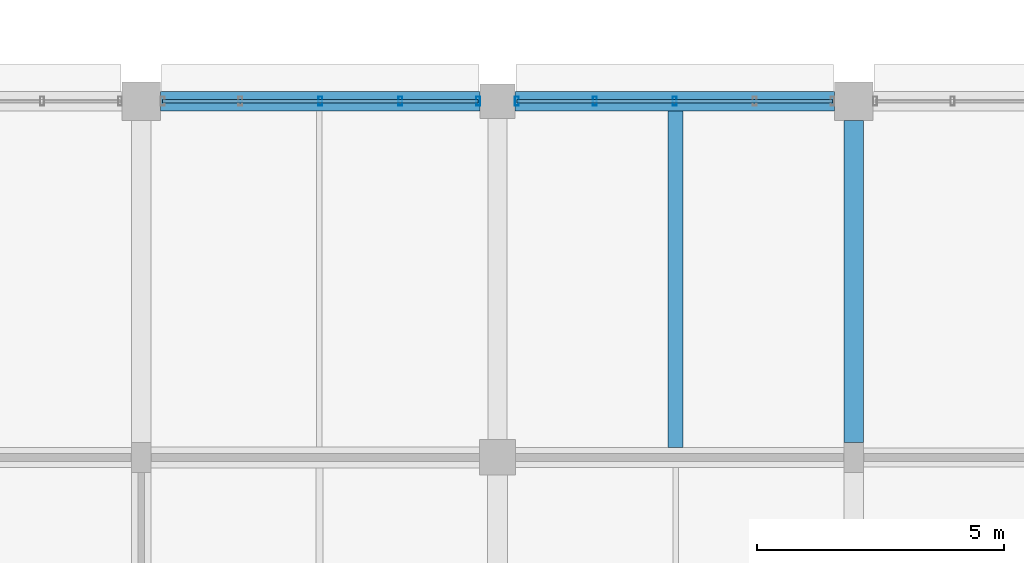
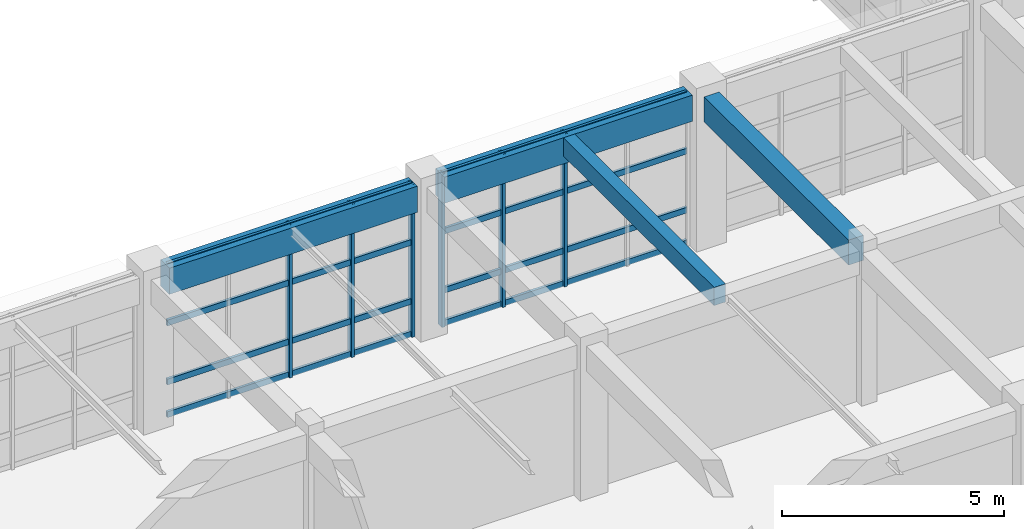
# One storey, part 16 of 171: 14 members, 4 beams, 2 elements without a shape of their own.
"""IFC4 building model written with IfcOpenShell, lengths in metres."""

import ifcopenshell
import ifcopenshell.guid

model = None  # the IFC model being written
_history = None  # IfcOwnerHistory: only IFC2X3 demands one
_inside = {}  # id of a spatial element -> (the spatial element, [elements in it])
_under = {}  # id of a project, library or spatial element -> (it, [spatial elements below it])
_declared = {}  # id of a project -> (the project, [libraries it declares])
_typed = {}  # id of a type object -> (the type object, [elements of that type])
_made_of = {}  # id of a material, layer set ... -> (it, [elements and type objects made of it])


def new_model(schema):
    """Start an empty IFC model of exactly this schema.

    Asked for "IFC4X3", IfcOpenShell would pick the latest addendum, in which some entities
    have other attributes; the version numbers below select the first issue.
    IFC2X3 requires an IfcOwnerHistory on every rooted entity: one is made here for all.
    """
    global model, _history
    if schema == "IFC4X3":
        model = ifcopenshell.file(schema_version=(4, 3, 0, 0))
    else:
        model = ifcopenshell.file(schema=schema)
    _inside.clear()
    _under.clear()
    _declared.clear()
    _typed.clear()
    _made_of.clear()
    _history = None
    if model.schema == "IFC2X3":
        org = make("IfcOrganization", Name="unknown")
        user = make(
            "IfcPersonAndOrganization",
            ThePerson=make("IfcPerson", FamilyName="unknown"),
            TheOrganization=org,
        )
        app = make(
            "IfcApplication",
            ApplicationDeveloper=org,
            Version="unknown",
            ApplicationFullName="unknown",
            ApplicationIdentifier="unknown",
        )
        _history = make(
            "IfcOwnerHistory",
            OwningUser=user,
            OwningApplication=app,
            ChangeAction="ADDED",
            CreationDate=0,
        )
    return model


def make(cls, **values):
    """One entity of the class cls with the attributes given. An attribute that is None is left unset."""
    return model.create_entity(
        cls, **{name: value for name, value in values.items() if value is not None}
    )


def rooted(cls, **values):
    """An entity with a GlobalId (a new one), such as an element, a storey or a relation."""
    return make(cls, GlobalId=ifcopenshell.guid.new(), OwnerHistory=_history, **values)


def si_unit(unit_type, name, prefix=None):
    """IfcSIUnit, for example si_unit("LENGTHUNIT", "METRE", prefix="MILLI")."""
    return make("IfcSIUnit", UnitType=unit_type, Prefix=prefix, Name=name)


def assignment(units):
    """IfcUnitAssignment: the units of a project."""
    return None if units is None else make("IfcUnitAssignment", Units=units)


def point(xyz):
    """IfcCartesianPoint."""
    return None if xyz is None else make("IfcCartesianPoint", Coordinates=xyz)


def direction(xyz):
    """IfcDirection."""
    return None if xyz is None else make("IfcDirection", DirectionRatios=xyz)


def frame(location, z_axis=None, x_axis=None):
    """IfcAxis2Placement3D, a coordinate frame: its origin and axes. An axis left out is left unset."""
    return make(
        "IfcAxis2Placement3D",
        Location=point(location),
        Axis=direction(z_axis),
        RefDirection=direction(x_axis),
    )


def frame_2d(location, x_axis=None):
    """IfcAxis2Placement2D, a coordinate frame in the plane: its origin and x axis."""
    return make(
        "IfcAxis2Placement2D", Location=point(location), RefDirection=direction(x_axis)
    )


def origin():
    """The frame at (0, 0, 0) with its axes left unset."""
    return frame((0.0, 0.0, 0.0))


def origin_2d():
    """The frame at (0, 0) in the plane with its x axis left unset."""
    return frame_2d((0.0, 0.0))


def place(relative_to, where):
    """IfcLocalPlacement: puts the frame where relative to a parent placement (None: the world)."""
    return make(
        "IfcLocalPlacement", PlacementRelTo=relative_to, RelativePlacement=where
    )


def context(
    kind, dimensions, precision=None, world=None, true_north=None, identifier=None
):
    """IfcGeometricRepresentationContext, for example the 3D "Model" context."""
    return make(
        "IfcGeometricRepresentationContext",
        ContextIdentifier=identifier,
        ContextType=kind,
        CoordinateSpaceDimension=dimensions,
        Precision=precision,
        WorldCoordinateSystem=world,
        TrueNorth=true_north,
    )


def subcontext(parent, identifier, kind, view, scale=None):
    """IfcGeometricRepresentationSubContext, for example "Body" below "Model"."""
    return make(
        "IfcGeometricRepresentationSubContext",
        ContextIdentifier=identifier,
        ContextType=kind,
        ParentContext=parent,
        TargetScale=scale,
        TargetView=view,
    )


def project(units=None, contexts=None):
    """IfcProject with its units and contexts."""
    return rooted(
        "IfcProject",
        Name="project",
        RepresentationContexts=contexts,
        UnitsInContext=assignment(units),
    )


def spatial(cls, under=None, at=None, **own):
    """A site, building, storey or space (cls), placed at a placement, below another one or the project."""
    s = rooted(cls, ObjectPlacement=at, **own)
    if under is not None:
        _under.setdefault(under.id(), (under, []))[1].append(s)
    return s


def profile(cls, at=None, kind="AREA", **sizes):
    """A parametric profile (cls). Its sizes go by their IFC names, for example OverallWidth=200.0."""
    return make(cls, ProfileType=kind, Position=at, **sizes)


def rectangle(**sizes):
    """IfcRectangleProfileDef."""
    return profile("IfcRectangleProfileDef", **sizes)


def hollow_rectangle(**sizes):
    """IfcRectangleHollowProfileDef."""
    return profile("IfcRectangleHollowProfileDef", **sizes)


def extrude(swept, where, along, depth):
    """IfcExtrudedAreaSolid: the profile swept, set in the frame where, extruded along a direction by depth."""
    return make(
        "IfcExtrudedAreaSolid",
        SweptArea=swept,
        Position=where,
        ExtrudedDirection=direction(along),
        Depth=depth,
    )


def shape(context_of_items, identifier, shape_type, items):
    """IfcShapeRepresentation: the items that make up one representation, for example the "Body"."""
    return make(
        "IfcShapeRepresentation",
        ContextOfItems=context_of_items,
        RepresentationIdentifier=identifier,
        RepresentationType=shape_type,
        Items=items,
    )


def material(Name=None, Category=None):
    """IfcMaterial."""
    return make("IfcMaterial", Name=Name, Category=Category)


def material_profile(
    of_material, cross_section, Name=None, Category=None, Priority=None
):
    """IfcMaterialProfile: a cross section and its material."""
    return make(
        "IfcMaterialProfile",
        Name=Name,
        Material=of_material,
        Profile=cross_section,
        Priority=Priority,
        Category=Category,
    )


def profile_set(profiles, Name=None, composite=None):
    """IfcMaterialProfileSet."""
    return make(
        "IfcMaterialProfileSet",
        Name=Name,
        MaterialProfiles=profiles,
        CompositeProfile=composite,
    )


def made_of(thing, what):
    """Note that an element or type object is made of a material, layer set ...; save() writes the relation."""
    if what is not None:
        _made_of.setdefault(what.id(), (what, []))[1].append(thing)
    return thing


def type_object(cls, material=None, **own):
    """A type object (cls), such as IfcWallType, which elements share."""
    return made_of(rooted(cls, **own), material)


def element(
    cls,
    number,
    at=None,
    inside=None,
    cuts=None,
    type_object=None,
    material=None,
    context=None,
    identifier="Body",
    shape_type=None,
    held_by="IfcProductDefinitionShape",
    body=None,
    shapes=None,
    **own,
):
    """One element of the class cls, such as IfcWall. Its Tag is "e" and its number.

    at: its placement. inside: the storey or other place that contains it. cuts: it is an
    opening in that element (IfcRelVoidsElement). A single representation is given by context,
    identifier, shape_type and body (its items); several are given by shapes. held_by: the class
    of the entity that holds the representations. save() writes the other relations.
    """
    e = rooted(cls, Tag="e%d" % number, ObjectPlacement=at, **own)
    if body is not None:
        shapes = [shape(context, identifier, shape_type, body)]
    if shapes is not None:
        e.Representation = make(held_by, Representations=shapes)
    if inside is not None:
        _inside.setdefault(inside.id(), (inside, []))[1].append(e)
    if cuts is not None:
        rooted(
            "IfcRelVoidsElement", RelatingBuildingElement=cuts, RelatedOpeningElement=e
        )
    if type_object is not None:
        _typed.setdefault(type_object.id(), (type_object, []))[1].append(e)
    return made_of(e, material)


def aggregate(whole, parts):
    """IfcRelAggregates: a whole, such as a stair, and the parts it consists of."""
    return rooted("IfcRelAggregates", RelatingObject=whole, RelatedObjects=parts)


def save(model, path):
    """Write the relations noted so far, then the file.

    IfcRelAggregates (storeys below a building ...), IfcRelContainedInSpatialStructure (elements
    in a storey), IfcRelDefinesByType, IfcRelAssociatesMaterial and IfcRelDeclares: one each for
    every whole, place, type object, material and project.
    """
    for whole, parts in _under.values():
        aggregate(whole, parts)
    for where, things in _inside.values():
        rooted(
            "IfcRelContainedInSpatialStructure",
            RelatedElements=things,
            RelatingStructure=where,
        )
    for kind, things in _typed.values():
        rooted("IfcRelDefinesByType", RelatedObjects=things, RelatingType=kind)
    for what, things in _made_of.values():
        rooted("IfcRelAssociatesMaterial", RelatedObjects=things, RelatingMaterial=what)
    for by, libraries in _declared.values():
        rooted("IfcRelDeclares", RelatingContext=by, RelatedDefinitions=libraries)
    model.write(path)


model = new_model("IFC4")

# Units and contexts
model_context = context("Model", 3, precision=1e-05, world=origin(), true_north=direction((0.0, 1.0)))
body_context = subcontext(model_context, "Body", "Model", "MODEL_VIEW")
ifc_project = project(units=[si_unit("LENGTHUNIT", "METRE"), si_unit("AREAUNIT", "SQUARE_METRE"), si_unit("VOLUMEUNIT", "CUBIC_METRE"), si_unit("PLANEANGLEUNIT", "RADIAN"), si_unit("MASSUNIT", "GRAM", prefix="KILO")], contexts=[model_context])

# Site, building, storey
site_placement = place(None, origin())
site = spatial("IfcSite", under=ifc_project, at=site_placement, CompositionType="ELEMENT")
building_placement = place(site_placement, origin())
building = spatial("IfcBuilding", under=site, at=building_placement, Name="Thalmaran Polytechnic", CompositionType="ELEMENT")
storey_placement = place(building_placement, frame((0.0, 0.0, 5.39990234375)))
storey = spatial("IfcBuildingStorey", under=building, at=storey_placement, Name="L01", CompositionType="ELEMENT", Elevation=5.39990234375)

# Beams
ifc_material_1 = material(Name="Concrete C40/50", Category="concrete")
ifc_material_profile_1 = material_profile(ifc_material_1, rectangle(XDim=0.389892578125, YDim=0.68994140625, at=origin_2d()), Name="RC 390x690")
ifc_profile_set_1 = profile_set([ifc_material_profile_1], Name="Concrete C40/50")
beam_type_1 = type_object("IfcBeamType", Name="BM-RC09", PredefinedType="BEAM", material=ifc_profile_set_1)
beam_1_placement = place(storey_placement, frame((50.39990234375, 14.699951171875, 3.864990234375), z_axis=(0.0, 1.0, 0.0), x_axis=(-1.0, 0.0, 0.0)))
element("IfcBeam", 1, at=beam_1_placement, inside=storey, type_object=beam_type_1, Name="Grid Beam B09 L01 Y(7,2)", PredefinedType="BEAM", context=body_context, shape_type="SweptSolid", body=[
    extrude(rectangle(XDim=0.389892578125, YDim=0.68994140625, at=origin_2d()), origin(), (0.0, 0.0, 1.0), 6.510009765625),
])
ifc_material_profile_2 = material_profile(ifc_material_1, rectangle(XDim=0.300048828125, YDim=0.5, at=origin_2d()), Name="RC 300x500")
ifc_profile_set_2 = profile_set([ifc_material_profile_2], Name="Concrete C40/50")
beam_type_2 = type_object("IfcBeamType", Name="BM-RC11", PredefinedType="JOIST", material=ifc_profile_set_2)
beam_2_placement = place(storey_placement, frame((46.800048828125, 14.60009765625, 3.960205078125), z_axis=(0.0, 1.0, 0.0), x_axis=(-1.0, 0.0, 0.0)))
element("IfcBeam", 2, at=beam_2_placement, inside=storey, type_object=beam_type_2, Name="Secondary Floor Rib RB01 L01 (6,2)", PredefinedType="JOIST", context=body_context, shape_type="SweptSolid", body=[
    extrude(rectangle(XDim=0.300048828125, YDim=0.5, at=origin_2d()), origin(), (0.0, 0.0, 1.0), 6.7998046875),
])
ifc_material_profile_3 = material_profile(ifc_material_1, rectangle(XDim=0.39990234375, YDim=0.719970703125, at=origin_2d()), Name="RC 400x720")
ifc_profile_set_3 = profile_set([ifc_material_profile_3], Name="Concrete C40/50")
beam_type_3 = type_object("IfcBeamType", Name="BM-SP01", PredefinedType="SPANDREL", material=ifc_profile_set_3)
beam_3_placement = place(storey_placement, frame((36.389892578125, 21.60009765625, 3.85009765625), z_axis=(1.0, 0.0, 0.0), x_axis=(0.0, 1.0, 0.0)))
element("IfcBeam", 3, at=beam_3_placement, inside=storey, type_object=beam_type_3, Name="Grid Beam SP01 L01 X(5,3)", PredefinedType="SPANDREL", context=body_context, shape_type="SweptSolid", body=[
    extrude(rectangle(XDim=0.39990234375, YDim=0.719970703125, at=origin_2d()), origin(), (0.0, 0.0, 1.0), 6.460205078125),
])
beam_4_placement = place(storey_placement, frame((43.550048828125, 21.60009765625, 3.85009765625), z_axis=(1.0, 0.0, 0.0), x_axis=(0.0, 1.0, 0.0)))
element("IfcBeam", 4, at=beam_4_placement, inside=storey, type_object=beam_type_3, Name="Grid Beam SP01 L01 X(6,3)", PredefinedType="SPANDREL", context=body_context, shape_type="SweptSolid", body=[
    extrude(rectangle(XDim=0.39990234375, YDim=0.719970703125, at=origin_2d()), origin(), (0.0, 0.0, 1.0), 6.4599609375),
])

# Curtain wall, members
ifc_material_2 = material(Name="Aluminium 6063-T6", Category="aluminium")
curtain_wall_type = type_object("IfcCurtainWallType", Name="CW-UC02", PredefinedType="USERDEFINED", material=ifc_material_2)
curtain_wall_1_placement = place(storey_placement, origin())
curtain_wall_1 = element("IfcCurtainWall", 5, at=curtain_wall_1_placement, inside=storey, type_object=curtain_wall_type, Name="Curtain Wall CW-L01-164", ObjectType="UNITISED CURTAIN WALL", PredefinedType="USERDEFINED")
ifc_material_profile_4 = material_profile(ifc_material_2, hollow_rectangle(XDim=0.080078125, YDim=0.179931640625, WallThickness=0.0048828125, at=origin_2d()), Name="RHS 180x80x5.0")
ifc_profile_set_4 = profile_set([ifc_material_profile_4], Name="Aluminium 6063-T6")
member_type_1 = type_object("IfcMemberType", Name="CW-MUL1", PredefinedType="MULLION", material=ifc_profile_set_4)
member_1_placement = place(storey_placement, frame((39.6201171875, 21.60009765625, 0.0), z_axis=(0.0, 0.0, 1.0), x_axis=(1.0, 0.0, 0.0)))
member_1 = element("IfcMember", 6, at=member_1_placement, type_object=member_type_1, Name="CW-L01-164 Mullion 3", PredefinedType="MULLION", context=body_context, shape_type="SweptSolid", body=[
    extrude(hollow_rectangle(XDim=0.080078125, YDim=0.179931640625, WallThickness=0.0048828125, at=origin_2d()), origin(), (0.0, 0.0, 1.0), 4.210205078125),
])
member_2_placement = place(storey_placement, frame((41.235107421875, 21.60009765625, 0.0), z_axis=(0.0, 0.0, 1.0), x_axis=(1.0, 0.0, 0.0)))
member_2 = element("IfcMember", 7, at=member_2_placement, type_object=member_type_1, Name="CW-L01-164 Mullion 4", PredefinedType="MULLION", context=body_context, shape_type="SweptSolid", body=[
    extrude(hollow_rectangle(XDim=0.080078125, YDim=0.179931640625, WallThickness=0.0048828125, at=origin_2d()), origin(), (0.0, 0.0, 1.0), 4.210205078125),
])
member_3_placement = place(storey_placement, frame((42.81005859375, 21.60009765625, 0.0), z_axis=(0.0, 0.0, 1.0), x_axis=(1.0, 0.0, 0.0)))
member_3 = element("IfcMember", 8, at=member_3_placement, type_object=member_type_1, Name="CW-L01-164 Mullion 5", PredefinedType="MULLION", context=body_context, shape_type="SweptSolid", body=[
    extrude(hollow_rectangle(XDim=0.080078125, YDim=0.179931640625, WallThickness=0.0048828125, at=origin_2d()), origin(), (0.0, 0.0, 1.0), 4.210205078125),
])

curtain_wall_2_placement = place(storey_placement, origin())
curtain_wall_2 = element("IfcCurtainWall", 9, at=curtain_wall_2_placement, inside=storey, type_object=curtain_wall_type, Name="Curtain Wall CW-L01-165", ObjectType="UNITISED CURTAIN WALL", PredefinedType="USERDEFINED")
member_4_placement = place(storey_placement, frame((43.590087890625, 21.60009765625, 0.0), z_axis=(0.0, 0.0, 1.0), x_axis=(1.0, 0.0, 0.0)))
member_4 = element("IfcMember", 10, at=member_4_placement, type_object=member_type_1, Name="CW-L01-165 Mullion 1", PredefinedType="MULLION", context=body_context, shape_type="SweptSolid", body=[
    extrude(hollow_rectangle(XDim=0.080078125, YDim=0.179931640625, WallThickness=0.0048828125, at=origin_2d()), origin(), (0.0, 0.0, 1.0), 4.210205078125),
])
member_5_placement = place(storey_placement, frame((45.1650390625, 21.60009765625, 0.0), z_axis=(0.0, 0.0, 1.0), x_axis=(1.0, 0.0, 0.0)))
member_5 = element("IfcMember", 11, at=member_5_placement, type_object=member_type_1, Name="CW-L01-165 Mullion 2", PredefinedType="MULLION", context=body_context, shape_type="SweptSolid", body=[
    extrude(hollow_rectangle(XDim=0.080078125, YDim=0.179931640625, WallThickness=0.0048828125, at=origin_2d()), origin(), (0.0, 0.0, 1.0), 4.210205078125),
])
member_6_placement = place(storey_placement, frame((46.780029296875, 21.60009765625, 0.0), z_axis=(0.0, 0.0, 1.0), x_axis=(1.0, 0.0, 0.0)))
member_6 = element("IfcMember", 12, at=member_6_placement, type_object=member_type_1, Name="CW-L01-165 Mullion 3", PredefinedType="MULLION", context=body_context, shape_type="SweptSolid", body=[
    extrude(hollow_rectangle(XDim=0.080078125, YDim=0.179931640625, WallThickness=0.0048828125, at=origin_2d()), origin(), (0.0, 0.0, 1.0), 4.210205078125),
])

# Member
ifc_material_profile_5 = material_profile(ifc_material_2, hollow_rectangle(XDim=0.070068359375, YDim=0.159912109375, WallThickness=0.00390625, at=origin_2d()), Name="AL 160x70x4.0")
ifc_profile_set_5 = profile_set([ifc_material_profile_5], Name="Aluminium 6063-T6")
member_type_2 = type_object("IfcMemberType", Name="CW-TRN1", PredefinedType="USERDEFINED", material=ifc_profile_set_5)
member_7_placement = place(storey_placement, frame((36.429931640625, 21.60009765625, 0.06005859375), z_axis=(1.0, 0.0, 0.0), x_axis=(0.0, 1.0, 0.0)))
member_7 = element("IfcMember", 13, at=member_7_placement, type_object=member_type_2, Name="CW-L01-164 Transom 1", ObjectType="TRANSOM", PredefinedType="USERDEFINED", context=body_context, shape_type="SweptSolid", body=[
    extrude(hollow_rectangle(XDim=0.070068359375, YDim=0.159912109375, WallThickness=0.00390625, at=origin_2d()), origin(), (0.0, 0.0, 1.0), 6.380126953125),
])

member_8_placement = place(storey_placement, frame((36.429931640625, 21.60009765625, 0.960205078125), z_axis=(1.0, 0.0, 0.0), x_axis=(0.0, 1.0, 0.0)))
member_8 = element("IfcMember", 14, at=member_8_placement, type_object=member_type_2, Name="CW-L01-164 Transom 2", ObjectType="TRANSOM", PredefinedType="USERDEFINED", context=body_context, shape_type="SweptSolid", body=[
    extrude(hollow_rectangle(XDim=0.070068359375, YDim=0.159912109375, WallThickness=0.00390625, at=origin_2d()), origin(), (0.0, 0.0, 1.0), 6.380126953125),
])

member_9_placement = place(storey_placement, frame((36.429931640625, 21.60009765625, 2.585205078125), z_axis=(1.0, 0.0, 0.0), x_axis=(0.0, 1.0, 0.0)))
member_9 = element("IfcMember", 15, at=member_9_placement, type_object=member_type_2, Name="CW-L01-164 Transom 3", ObjectType="TRANSOM", PredefinedType="USERDEFINED", context=body_context, shape_type="SweptSolid", body=[
    extrude(hollow_rectangle(XDim=0.070068359375, YDim=0.159912109375, WallThickness=0.00390625, at=origin_2d()), origin(), (0.0, 0.0, 1.0), 6.380126953125),
])

member_10_placement = place(storey_placement, frame((36.429931640625, 21.60009765625, 4.150146484375), z_axis=(1.0, 0.0, 0.0), x_axis=(0.0, 1.0, 0.0)))
member_10 = element("IfcMember", 16, at=member_10_placement, type_object=member_type_2, Name="CW-L01-164 Transom 4", ObjectType="TRANSOM", PredefinedType="USERDEFINED", context=body_context, shape_type="SweptSolid", body=[
    extrude(hollow_rectangle(XDim=0.070068359375, YDim=0.159912109375, WallThickness=0.00390625, at=origin_2d()), origin(), (0.0, 0.0, 1.0), 6.380126953125),
])

aggregate(curtain_wall_1, [member_1, member_2, member_3, member_7, member_8, member_9, member_10])

member_11_placement = place(storey_placement, frame((43.590087890625, 21.60009765625, 0.06005859375), z_axis=(1.0, 0.0, 0.0), x_axis=(0.0, 1.0, 0.0)))
member_11 = element("IfcMember", 17, at=member_11_placement, type_object=member_type_2, Name="CW-L01-165 Transom 1", ObjectType="TRANSOM", PredefinedType="USERDEFINED", context=body_context, shape_type="SweptSolid", body=[
    extrude(hollow_rectangle(XDim=0.070068359375, YDim=0.159912109375, WallThickness=0.00390625, at=origin_2d()), origin(), (0.0, 0.0, 1.0), 6.3798828125),
])

member_12_placement = place(storey_placement, frame((43.590087890625, 21.60009765625, 0.960205078125), z_axis=(1.0, 0.0, 0.0), x_axis=(0.0, 1.0, 0.0)))
member_12 = element("IfcMember", 18, at=member_12_placement, type_object=member_type_2, Name="CW-L01-165 Transom 2", ObjectType="TRANSOM", PredefinedType="USERDEFINED", context=body_context, shape_type="SweptSolid", body=[
    extrude(hollow_rectangle(XDim=0.070068359375, YDim=0.159912109375, WallThickness=0.00390625, at=origin_2d()), origin(), (0.0, 0.0, 1.0), 6.3798828125),
])

member_13_placement = place(storey_placement, frame((43.590087890625, 21.60009765625, 2.585205078125), z_axis=(1.0, 0.0, 0.0), x_axis=(0.0, 1.0, 0.0)))
member_13 = element("IfcMember", 19, at=member_13_placement, type_object=member_type_2, Name="CW-L01-165 Transom 3", ObjectType="TRANSOM", PredefinedType="USERDEFINED", context=body_context, shape_type="SweptSolid", body=[
    extrude(hollow_rectangle(XDim=0.070068359375, YDim=0.159912109375, WallThickness=0.00390625, at=origin_2d()), origin(), (0.0, 0.0, 1.0), 6.3798828125),
])

member_14_placement = place(storey_placement, frame((43.590087890625, 21.60009765625, 4.150146484375), z_axis=(1.0, 0.0, 0.0), x_axis=(0.0, 1.0, 0.0)))
member_14 = element("IfcMember", 20, at=member_14_placement, type_object=member_type_2, Name="CW-L01-165 Transom 4", ObjectType="TRANSOM", PredefinedType="USERDEFINED", context=body_context, shape_type="SweptSolid", body=[
    extrude(hollow_rectangle(XDim=0.070068359375, YDim=0.159912109375, WallThickness=0.00390625, at=origin_2d()), origin(), (0.0, 0.0, 1.0), 6.3798828125),
])

aggregate(curtain_wall_2, [member_4, member_5, member_6, member_11, member_12, member_13, member_14])

save(model, "model.ifc")
